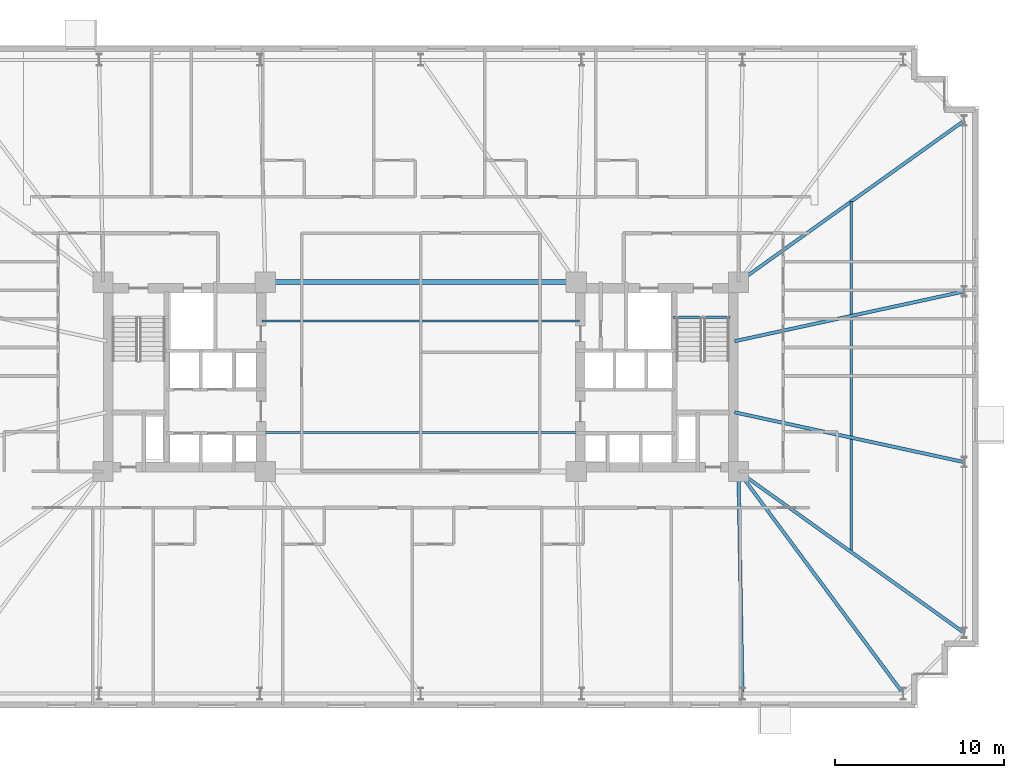
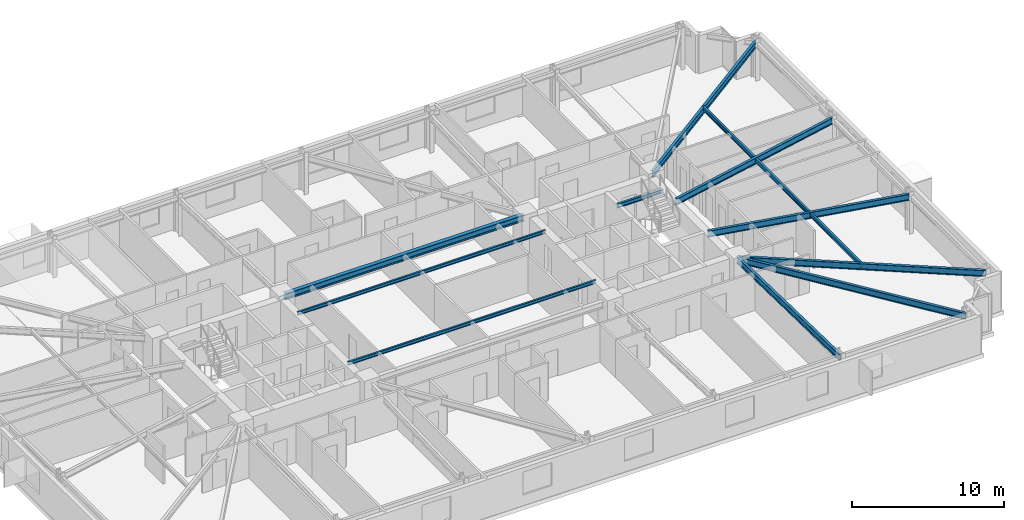
# One storey, part 7 of 22: 11 beams.
"""IFC4 building model written with IfcOpenShell, lengths in metres."""

from ifc_helpers import new_model, si_unit, direction, frame, origin, origin_2d, place, context, subcontext, project, spatial, i_section, extrude, material, material_profile, profile_set, type_object, element, save


model = new_model("IFC4")

# Units and contexts
model_context = context("Model", 3, precision=1e-05, world=origin(), true_north=direction((0.0, 1.0)))
body_context = subcontext(model_context, "Body", "Model", "MODEL_VIEW")
ifc_project = project(units=[si_unit("LENGTHUNIT", "METRE"), si_unit("AREAUNIT", "SQUARE_METRE"), si_unit("VOLUMEUNIT", "CUBIC_METRE"), si_unit("PLANEANGLEUNIT", "RADIAN"), si_unit("MASSUNIT", "GRAM", prefix="KILO")], contexts=[model_context])

# Site, building, storey
site_placement = place(None, origin())
site = spatial("IfcSite", under=ifc_project, at=site_placement, CompositionType="ELEMENT")
building_placement = place(site_placement, origin())
building = spatial("IfcBuilding", under=site, at=building_placement, Name="Qobustan Lattice House", CompositionType="ELEMENT")
storey_placement = place(building_placement, frame((0.0, 0.0, 33.699951171875)))
storey = spatial("IfcBuildingStorey", under=building, at=storey_placement, Name="L08", CompositionType="ELEMENT", Elevation=33.699951171875)

# Beams
ifc_material_1 = material(Name="Steel S355", Category="steel")
ifc_material_profile_1 = material_profile(ifc_material_1, i_section(OverallWidth=0.300048828125, OverallDepth=0.5, WebThickness=0.014404296875, FlangeThickness=0.028076171875, FilletRadius=0.027099609375, at=origin_2d()), Name="HEB500")
ifc_profile_set_1 = profile_set([ifc_material_profile_1], Name="Steel S355")
beam_type_1 = type_object("IfcBeamType", Name="BM-CG-HEB500", PredefinedType="USERDEFINED", material=ifc_profile_set_1)
beam_1_placement = place(storey_placement, frame((-9.050048828125, 5.60009765625, 2.78515625), z_axis=(1.0, 0.0, 0.0), x_axis=(0.0, 1.0, 0.0)))
element("IfcBeam", 1, at=beam_1_placement, inside=storey, type_object=beam_type_1, Name="L08 core spine girder CG-CN", ObjectType="GIRDER", PredefinedType="USERDEFINED", context=body_context, shape_type="SweptSolid", body=[
    extrude(i_section(OverallWidth=0.300048828125, OverallDepth=0.5, WebThickness=0.014404296875, FlangeThickness=0.028076171875, FilletRadius=0.027099609375, at=origin_2d()), origin(), (0.0, 0.0, 1.0), 18.10009765625),
])
ifc_material_2 = material(Name="Steel S355", Category="steel")
ifc_material_profile_2 = material_profile(ifc_material_2, i_section(OverallWidth=0.199951171875, OverallDepth=0.5, WebThickness=0.01025390625, FlangeThickness=0.01611328125, FilletRadius=0.02099609375, at=origin_2d()), Name="IPE500")
ifc_profile_set_2 = profile_set([ifc_material_profile_2], Name="Steel S355")
beam_type_2 = type_object("IfcBeamType", Name="BM-FLG-IPE500", PredefinedType="USERDEFINED", material=ifc_profile_set_2)
beam_2_placement = place(storey_placement, frame((19.032958984375, -18.72509765625, 2.78515625), z_axis=(-0.017757831607, 0.999842317276, 0.0), x_axis=(-0.999842317276, -0.017757831607, 0.0)))
element("IfcBeam", 2, at=beam_2_placement, inside=storey, type_object=beam_type_2, Name="L08 primary floor girder RAD-S6", ObjectType="GIRDER", PredefinedType="USERDEFINED", context=body_context, shape_type="SweptSolid", body=[
    extrude(i_section(OverallWidth=0.199951171875, OverallDepth=0.5, WebThickness=0.01025390625, FlangeThickness=0.01611328125, FilletRadius=0.02099609375, at=origin_2d()), origin(), (0.0, 0.0, 1.0), 13.10205078125),
])
beam_3_placement = place(storey_placement, frame((28.53515625, -18.72998046875, 2.78515625), z_axis=(-0.5955916815, 0.803287338956, 0.0), x_axis=(-0.803287338956, -0.5955916815, 0.0)))
element("IfcBeam", 3, at=beam_3_placement, inside=storey, type_object=beam_type_2, Name="L08 primary floor girder RAD-S7E", ObjectType="GIRDER", PredefinedType="USERDEFINED", context=body_context, shape_type="SweptSolid", body=[
    extrude(i_section(OverallWidth=0.199951171875, OverallDepth=0.5, WebThickness=0.01025390625, FlangeThickness=0.01611328125, FilletRadius=0.02099609375, at=origin_2d()), origin(), (0.0, 0.0, 1.0), 16.3203125),
])
beam_4_placement = place(storey_placement, frame((32.129638671875, 15.135498046875, 2.78515625), z_axis=(-0.813318954893, -0.581818079481, 0.0), x_axis=(0.581818079481, -0.813318954893, 0.0)))
element("IfcBeam", 4, at=beam_4_placement, inside=storey, type_object=beam_type_2, Name="L08 primary floor girder RAD-E4", ObjectType="GIRDER", PredefinedType="USERDEFINED", context=body_context, shape_type="SweptSolid", body=[
    extrude(i_section(OverallWidth=0.199951171875, OverallDepth=0.5, WebThickness=0.01025390625, FlangeThickness=0.01611328125, FilletRadius=0.02099609375, at=origin_2d()), origin(), (0.0, 0.0, 1.0), 16.3642578125),
])
for number, where, z_axis, x_axis, name in (
    (5, (32.12548828125, 5.044677734375, 2.78515625), (-0.97727240275, -0.211987383643, 0.0), (0.211987383643, -0.97727240275, 0.0), "L08 primary floor girder RAD-E3"),
    (6, (32.12548828125, -5.044677734375, 2.78515625), (-0.97727240275, 0.211987383643, 0.0), (-0.211987383643, -0.97727240275, 0.0), "L08 primary floor girder RAD-E2"),
):
    element("IfcBeam", number, at=place(storey_placement, frame(where, z_axis=z_axis, x_axis=x_axis)), inside=storey, type_object=beam_type_2, Name=name, ObjectType="GIRDER", PredefinedType="USERDEFINED", context=body_context, shape_type="SweptSolid", body=[
        extrude(i_section(OverallWidth=0.199951171875, OverallDepth=0.5, WebThickness=0.01025390625, FlangeThickness=0.01611328125, FilletRadius=0.02099609375, at=origin_2d()), origin(), (0.0, 0.0, 1.0), 13.8662109375),
    ])
beam_5_placement = place(storey_placement, frame((32.129638671875, -15.135498046875, 2.78515625), z_axis=(-0.813318954893, 0.581818079481, 0.0), x_axis=(-0.581818079481, -0.813318954893, 0.0)))
element("IfcBeam", 7, at=beam_5_placement, inside=storey, type_object=beam_type_2, Name="L08 primary floor girder RAD-E1", ObjectType="GIRDER", PredefinedType="USERDEFINED", context=body_context, shape_type="SweptSolid", body=[
    extrude(i_section(OverallWidth=0.199951171875, OverallDepth=0.5, WebThickness=0.01025390625, FlangeThickness=0.01611328125, FilletRadius=0.02099609375, at=origin_2d()), origin(), (0.0, 0.0, 1.0), 16.3642578125),
])
ifc_material_3 = material(Name="Steel S355", Category="steel")
ifc_material_profile_3 = material_profile(ifc_material_3, i_section(OverallWidth=0.135009765625, OverallDepth=0.27001953125, WebThickness=0.006591796875, FlangeThickness=0.01025390625, FilletRadius=0.014892578125, at=origin_2d()), Name="IPE270")
ifc_profile_set_3 = profile_set([ifc_material_profile_3], Name="Steel S355")
beam_type_3 = type_object("IfcBeamType", Name="BM-JST-IPE270", PredefinedType="JOIST", material=ifc_profile_set_3)
for number, where, z_axis, x_axis, name in (
    (8, (-9.39990234375, -3.300048828125, 2.900146484375), (1.0, 0.0, 0.0), (0.0, 1.0, 0.0), "L08 central span floor joist 1"),
    (9, (-9.39990234375, 3.300048828125, 2.900146484375), (1.0, 0.0, 0.0), (0.0, 1.0, 0.0), "L08 central span floor joist 2"),
):
    element("IfcBeam", number, at=place(storey_placement, frame(where, z_axis=z_axis, x_axis=x_axis)), inside=storey, type_object=beam_type_3, Name=name, PredefinedType="JOIST", context=body_context, shape_type="SweptSolid", body=[
        extrude(i_section(OverallWidth=0.135009765625, OverallDepth=0.27001953125, WebThickness=0.006591796875, FlangeThickness=0.01025390625, FilletRadius=0.014892578125, at=origin_2d()), origin(), (0.0, 0.0, 1.0), 18.7998046875),
    ])
ifc_material_4 = material(Name="Steel S355", Category="steel")
ifc_material_profile_4 = material_profile(ifc_material_4, i_section(OverallWidth=0.159912109375, OverallDepth=0.330078125, WebThickness=0.007568359375, FlangeThickness=0.011474609375, FilletRadius=0.01806640625, at=origin_2d()), Name="IPE330")
ifc_profile_set_4 = profile_set([ifc_material_profile_4], Name="Steel S355")
beam_type_4 = type_object("IfcBeamType", Name="BM-SEC-IPE330", PredefinedType="BEAM", material=ifc_profile_set_4)
beam_6_placement = place(storey_placement, frame((25.47509765625, 10.375, 2.8701171875), z_axis=(0.0, -1.0, 0.0), x_axis=(1.0, 0.0, 0.0)))
element("IfcBeam", 10, at=beam_6_placement, inside=storey, type_object=beam_type_4, Name="L08 east wing secondary beam", PredefinedType="BEAM", context=body_context, shape_type="SweptSolid", body=[
    extrude(i_section(OverallWidth=0.159912109375, OverallDepth=0.330078125, WebThickness=0.007568359375, FlangeThickness=0.011474609375, FilletRadius=0.01806640625, at=origin_2d()), origin(), (0.0, 0.0, 1.0), 20.75),
])
ifc_material_5 = material(Name="Steel S355", Category="steel")
ifc_material_profile_5 = material_profile(ifc_material_5, i_section(OverallWidth=0.159912109375, OverallDepth=0.330078125, WebThickness=0.007568359375, FlangeThickness=0.011474609375, FilletRadius=0.01806640625, at=origin_2d()), Name="IPE330")
ifc_profile_set_5 = profile_set([ifc_material_profile_5], Name="Steel S355")
beam_type_5 = type_object("IfcBeamType", Name="BM-SPD-IPE330", PredefinedType="SPANDREL", material=ifc_profile_set_5)
beam_7_placement = place(storey_placement, frame((14.949951171875, 3.52001953125, 2.8701171875), z_axis=(1.0, 0.0, 0.0), x_axis=(0.0, 1.0, 0.0)))
element("IfcBeam", 11, at=beam_7_placement, inside=storey, type_object=beam_type_5, Name="L08 east stair landing trimmer beam", PredefinedType="SPANDREL", context=body_context, shape_type="SweptSolid", body=[
    extrude(i_section(OverallWidth=0.159912109375, OverallDepth=0.330078125, WebThickness=0.007568359375, FlangeThickness=0.011474609375, FilletRadius=0.01806640625, at=origin_2d()), origin(), (0.0, 0.0, 1.0), 3.35009765625),
])

save(model, "model.ifc")
